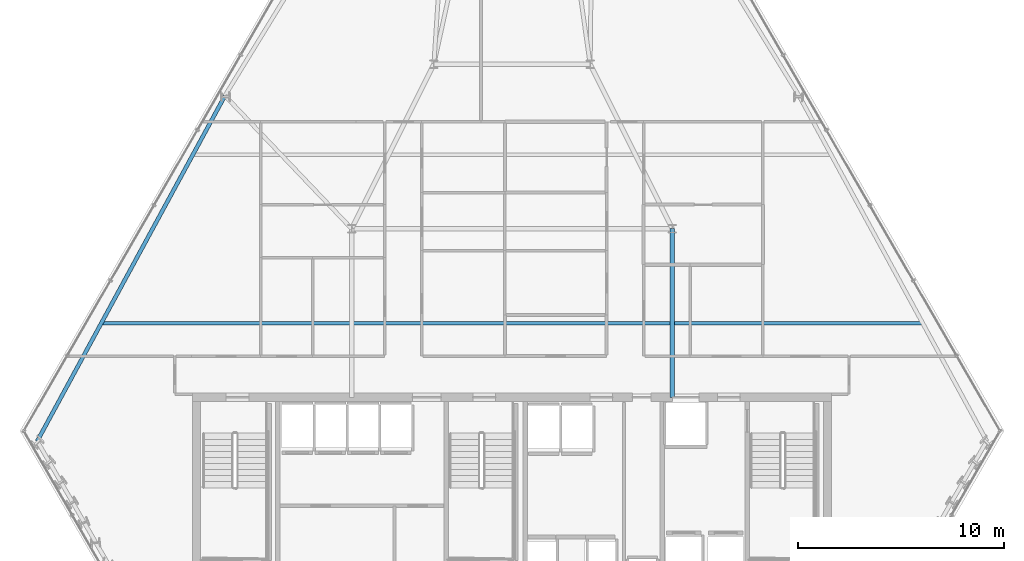
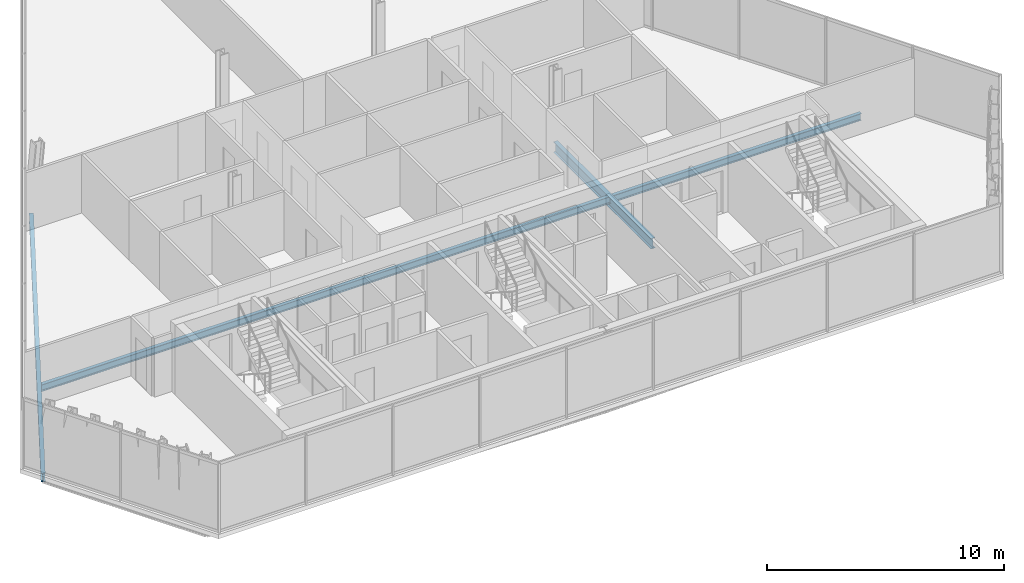
# One storey, part 9 of 33: 3 beams.
"""IFC4 building model written with IfcOpenShell, lengths in metres."""

from ifc_helpers import new_model, si_unit, direction, frame, origin, origin_2d, place, context, subcontext, project, spatial, i_section, extrude, material, material_profile, profile_set, type_object, element, save


model = new_model("IFC4")

# Units and contexts
model_context = context("Model", 3, precision=1e-05, world=origin(), true_north=direction((0.0, 1.0)))
body_context = subcontext(model_context, "Body", "Model", "MODEL_VIEW")
ifc_project = project(units=[si_unit("LENGTHUNIT", "METRE"), si_unit("AREAUNIT", "SQUARE_METRE"), si_unit("VOLUMEUNIT", "CUBIC_METRE"), si_unit("PLANEANGLEUNIT", "RADIAN"), si_unit("MASSUNIT", "GRAM", prefix="KILO")], contexts=[model_context])

# Site, building, storey
site_placement = place(None, origin())
site = spatial("IfcSite", under=ifc_project, at=site_placement, CompositionType="ELEMENT")
building_placement = place(site_placement, origin())
building = spatial("IfcBuilding", under=site, at=building_placement, Name="Ndaravel Arena Tower", CompositionType="ELEMENT")
storey_placement = place(building_placement, frame((0.0, 0.0, 187.800048828125)))
storey = spatial("IfcBuildingStorey", under=building, at=storey_placement, Name="L45", CompositionType="ELEMENT", Elevation=187.800048828125)

# Beams
ifc_material_1 = material(Name="Steel S355", Category="steel")
ifc_material_profile_1 = material_profile(ifc_material_1, i_section(OverallWidth=0.210693359375, OverallDepth=0.53955078125, WebThickness=0.01171875, FlangeThickness=0.018798828125, FilletRadius=0.0126953125, at=origin_2d()), Name="UB 533x210x109")
ifc_profile_set_1 = profile_set([ifc_material_profile_1], Name="Steel S355")
beam_type_1 = type_object("IfcBeamType", Name="BM-GIRD-UB533", PredefinedType="BEAM", material=ifc_profile_set_1)
beam_1_placement = place(storey_placement, frame((49.800048828125, 14.97998046875, -0.48974609375), z_axis=(0.0, 1.0, 0.0), x_axis=(-1.0, 0.0, 0.0)))
element("IfcBeam", 1, at=beam_1_placement, inside=storey, type_object=beam_type_1, Name="L45 Spine Link Girder SLG-02", PredefinedType="BEAM", context=body_context, shape_type="SweptSolid", body=[
    extrude(i_section(OverallWidth=0.210693359375, OverallDepth=0.53955078125, WebThickness=0.01171875, FlangeThickness=0.018798828125, FilletRadius=0.0126953125, at=origin_2d()), origin(), (0.0, 0.0, 1.0), 8.219970703125),
])
ifc_material_2 = material(Name="Steel S355", Category="steel")
ifc_material_profile_2 = material_profile(ifc_material_2, i_section(OverallWidth=0.172119140625, OverallDepth=0.35791015625, WebThickness=0.008056640625, FlangeThickness=0.012939453125, FilletRadius=0.01025390625, at=origin_2d()), Name="UB 356x171x57")
ifc_profile_set_2 = profile_set([ifc_material_profile_2], Name="Steel S355")
beam_type_2 = type_object("IfcBeamType", Name="BM-JOIST-UB356", PredefinedType="JOIST", material=ifc_profile_set_2)
beam_2_placement = place(storey_placement, frame((22.02197265625, 18.60009765625, -0.399169921875), z_axis=(1.0, 0.0, 0.0), x_axis=(0.0, 1.0, 0.0)))
element("IfcBeam", 2, at=beam_2_placement, inside=storey, type_object=beam_type_2, Name="L45 Composite Floor Joist FJ-01", PredefinedType="JOIST", context=body_context, shape_type="SweptSolid", body=[
    extrude(i_section(OverallWidth=0.172119140625, OverallDepth=0.35791015625, WebThickness=0.008056640625, FlangeThickness=0.012939453125, FilletRadius=0.01025390625, at=origin_2d()), origin(), (0.0, 0.0, 1.0), 39.9560546875),
])
ifc_material_3 = material(Name="Steel S355", Category="steel")
ifc_material_profile_3 = material_profile(ifc_material_3, i_section(OverallWidth=0.18994140625, OverallDepth=0.449951171875, WebThickness=0.009521484375, FlangeThickness=0.0146484375, FilletRadius=0.02099609375, at=origin_2d()), Name="IPE 450")
ifc_profile_set_3 = profile_set([ifc_material_profile_3], Name="Steel S355")
beam_type_3 = type_object("IfcBeamType", Name="BM-SPAN-IPE450", PredefinedType="SPANDREL", material=ifc_profile_set_3)
beam_3_placement = place(storey_placement, frame((28.036376953125, 29.666015625, -0.445068359375), z_axis=(-0.477531106399, -0.878614843046, 0.0), x_axis=(0.878614843046, -0.477531106399, 0.0)))
element("IfcBeam", 3, at=beam_3_placement, inside=storey, type_object=beam_type_3, Name="L45 Perimeter Spandrel Beam SP-19", PredefinedType="SPANDREL", context=body_context, shape_type="SweptSolid", body=[
    extrude(i_section(OverallWidth=0.18994140625, OverallDepth=0.449951171875, WebThickness=0.009521484375, FlangeThickness=0.0146484375, FilletRadius=0.02099609375, at=origin_2d()), origin(), (0.0, 0.0, 1.0), 19.119873046875),
])

save(model, "model.ifc")
